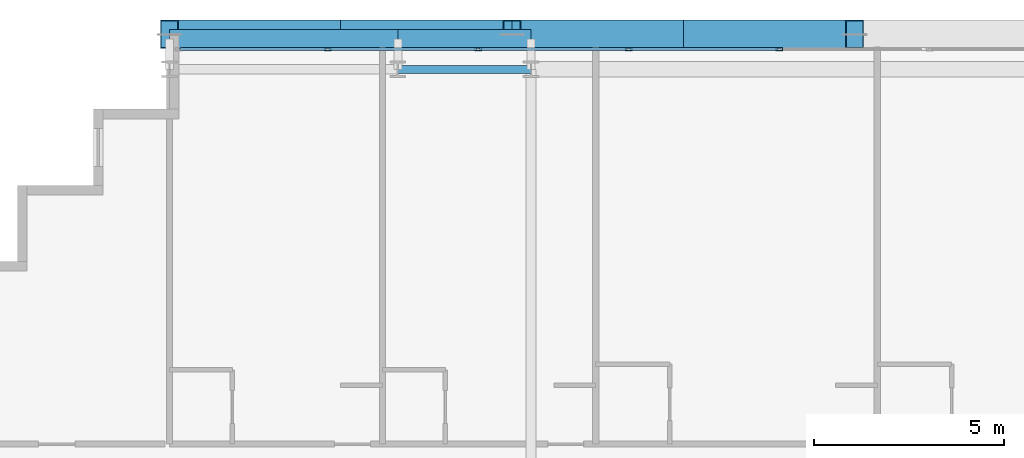
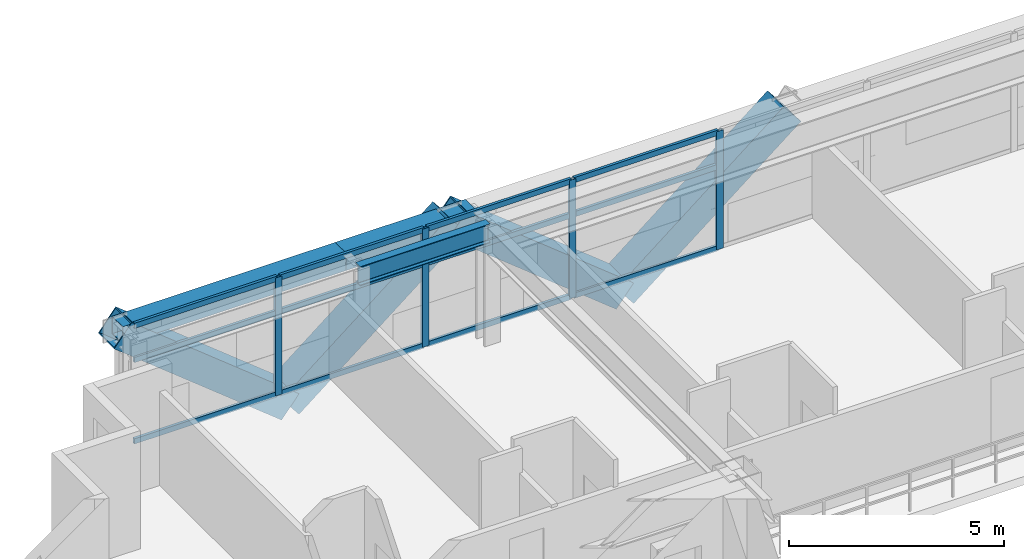
# One storey, part 18 of 35: 20 members, 3 beams, 1 element without a shape of its own.
"""IFC4 building model written with IfcOpenShell, lengths in metres."""

from ifc_helpers import new_model, si_unit, direction, frame, origin, origin_2d, place, context, subcontext, project, spatial, hollow_rectangle, i_section, extrude, source, transform, mapped, material, layer, layer_set, material_profile, profile_set, type_object, element, aggregate, save


model = new_model("IFC4")

# Units and contexts
model_context = context("Model", 3, precision=1e-05, world=origin(), true_north=direction((0.0, 1.0)))
body_context = subcontext(model_context, "Body", "Model", "MODEL_VIEW")
ifc_project = project(units=[si_unit("LENGTHUNIT", "METRE"), si_unit("AREAUNIT", "SQUARE_METRE"), si_unit("VOLUMEUNIT", "CUBIC_METRE"), si_unit("PLANEANGLEUNIT", "RADIAN"), si_unit("MASSUNIT", "GRAM", prefix="KILO")], contexts=[model_context])

# Site, building, storey
site_placement = place(None, origin())
site = spatial("IfcSite", under=ifc_project, at=site_placement, CompositionType="ELEMENT")
building_placement = place(site_placement, origin())
building = spatial("IfcBuilding", under=site, at=building_placement, Name="Ocotamira Hotel", CompositionType="ELEMENT")
storey_placement = place(building_placement, frame((0.0, 0.0, 144.0)))
storey = spatial("IfcBuildingStorey", under=building, at=storey_placement, Name="L36", CompositionType="ELEMENT", Elevation=144.0)

# Beams
ifc_material_1 = material(Name="Steel ASTM A992 Grade 50", Category="steel")
ifc_material_profile_1 = material_profile(ifc_material_1, i_section(OverallWidth=0.2099609375, OverallDepth=0.537109375, WebThickness=0.010986328125, FlangeThickness=0.017333984375, FilletRadius=0.012939453125, at=origin_2d()), Name="W21X68")
ifc_profile_set_1 = profile_set([ifc_material_profile_1], Name="Steel ASTM A992 Grade 50")
beam_type_1 = type_object("IfcBeamType", Name="BM-SEC-W21X68", PredefinedType="JOIST", material=ifc_profile_set_1)
shared_shape_1 = source(origin(), body_context, "Body", "SweptSolid", [
    extrude(i_section(OverallWidth=0.2099609375, OverallDepth=0.537109375, WebThickness=0.010986328125, FlangeThickness=0.017333984375, FilletRadius=0.012939453125, at=origin_2d()), origin(), (0.0, 0.0, 1.0), 3.5),
])
beam_1_placement = place(storey_placement, frame((20.0, 49.050048828125, 3.091552734375), z_axis=(1.0, 0.0, 0.0), x_axis=(0.0, 1.0, 0.0)))
element("IfcBeam", 1, at=beam_1_placement, inside=storey, type_object=beam_type_1, Name="L36 Girder Y49.05 X20-23.5", PredefinedType="JOIST", context=body_context, shape_type="MappedRepresentation", body=[
    mapped(shared_shape_1, transform((0.0, 0.0, 0.0), scale=1.0)),
])
ifc_material_2 = material(Name="Steel ASTM A500 Grade C", Category="steel")
ifc_material_profile_2 = material_profile(ifc_material_2, hollow_rectangle(XDim=0.5, YDim=0.5, WallThickness=0.02001953125, at=origin_2d()), Name="HSS500X500X20")
ifc_profile_set_2 = profile_set([ifc_material_profile_2], Name="Steel ASTM A500 Grade C")
beam_type_2 = type_object("IfcBeamType", Name="BM-SPAN-HSS500", PredefinedType="USERDEFINED", material=ifc_profile_set_2)
shared_shape_2 = source(origin(), body_context, "Body", "SweptSolid", [
    extrude(hollow_rectangle(XDim=0.5, YDim=0.5, WallThickness=0.02001953125, at=origin_2d()), origin(), (0.0, 0.0, 1.0), 6.0),
])
beam_2_placement = place(storey_placement, frame((14.0, 49.85009765625, 3.110107421875), z_axis=(1.0, 0.0, 0.0), x_axis=(0.0, 1.0, 0.0)))
element("IfcBeam", 2, at=beam_2_placement, inside=storey, type_object=beam_type_2, Name="L36 Edge Spandrel N X14-20", ObjectType="SPANDREL", PredefinedType="USERDEFINED", context=body_context, shape_type="MappedRepresentation", body=[
    mapped(shared_shape_2, transform((0.0, 0.0, 0.0), scale=1.0)),
])
shared_shape_3 = source(origin(), body_context, "Body", "SweptSolid", [
    extrude(hollow_rectangle(XDim=0.5, YDim=0.5, WallThickness=0.02001953125, at=origin_2d()), origin(), (0.0, 0.0, 1.0), 3.5),
])
beam_3_placement = place(storey_placement, frame((20.0, 49.85009765625, 3.110107421875), z_axis=(1.0, 0.0, 0.0), x_axis=(0.0, 1.0, 0.0)))
element("IfcBeam", 3, at=beam_3_placement, inside=storey, type_object=beam_type_2, Name="L36 Edge Spandrel N X20-23.5", ObjectType="SPANDREL", PredefinedType="USERDEFINED", context=body_context, shape_type="MappedRepresentation", body=[
    mapped(shared_shape_3, transform((0.0, 0.0, 0.0), scale=1.0)),
])

# Members
ifc_material_3 = material(Name="Pale-metal coated steel ASTM A913 Grade 65", Category="steel")
ifc_material_profile_3 = material_profile(ifc_material_3, hollow_rectangle(XDim=0.75, YDim=0.75, WallThickness=0.028076171875, at=origin_2d()), Name="BOX750X750X28")
ifc_profile_set_3 = profile_set([ifc_material_profile_3], Name="Pale-metal coated steel ASTM A913 Grade 65")
member_type_1 = type_object("IfcMemberType", Name="MEM-EXO-BOX750", PredefinedType="BRACE", material=ifc_profile_set_3)
shared_shape_4 = source(origin(), body_context, "Body", "SweptSolid", [
    extrude(hollow_rectangle(XDim=0.75, YDim=0.75, WallThickness=0.028076171875, at=origin_2d()), origin(), (0.0, 0.0, 1.0), 5.762939453125),
])
for number, where, z_axis, x_axis, name in (
    (4, (18.5, 49.969970703125, -0.489990234375), (-0.780860543151, 0.0, 0.624705380279), (0.0, -1.0, 0.0), "L36 Exoskeleton Diagrid N0.1"),
    (5, (18.5, 49.969970703125, -0.489990234375), (0.780860543151, 0.0, 0.624705380279), (0.0, 1.0, 0.0), "L36 Exoskeleton Diagrid N0.2"),
    (6, (27.5, 49.969970703125, -0.489990234375), (-0.780860543151, 0.0, 0.624705380279), (0.0, -1.0, 0.0), "L36 Exoskeleton Diagrid N1.1"),
    (7, (27.5, 49.969970703125, -0.489990234375), (0.780860543151, 0.0, 0.624705380279), (0.0, 1.0, 0.0), "L36 Exoskeleton Diagrid N1.2"),
):
    element("IfcMember", number, at=place(storey_placement, frame(where, z_axis=z_axis, x_axis=x_axis)), inside=storey, type_object=member_type_1, Name=name, PredefinedType="BRACE", context=body_context, shape_type="MappedRepresentation", body=[
        mapped(shared_shape_4, transform((0.0, 0.0, 0.0), scale=1.0)),
    ])

# Curtain wall, members
ifc_material_4 = material(Name="Anodised pale-metal aluminium and solar glass", Category="aluminium")
ifc_layer = layer(ifc_material_4, 0.179931640625)
ifc_layer_set = layer_set([ifc_layer], Name="Anodised pale-metal aluminium and solar glass")
curtain_wall_type = type_object("IfcCurtainWallType", Name="CW-SYS3-Z2", PredefinedType="NOTDEFINED", material=ifc_layer_set)
curtain_wall_placement = place(storey_placement, origin())
curtain_wall = element("IfcCurtainWall", 8, at=curtain_wall_placement, inside=storey, type_object=curtain_wall_type, Name="L36 Curtain Wall CW-3 CW-L36-N", PredefinedType="NOTDEFINED")
ifc_material_5 = material(Name="Anodised pale-metal aluminium 6063-T6", Category="aluminium")
ifc_material_profile_4 = material_profile(ifc_material_5, hollow_rectangle(XDim=0.074951171875, YDim=0.14990234375, WallThickness=0.006103515625, at=origin_2d()), Name="HSS150X75X6")
ifc_profile_set_4 = profile_set([ifc_material_profile_4], Name="Anodised pale-metal aluminium 6063-T6")
member_type_2 = type_object("IfcMemberType", Name="CWT-150X75", PredefinedType="USERDEFINED", material=ifc_profile_set_4)
shared_shape_5 = source(origin(), body_context, "Body", "SweptSolid", [
    extrude(hollow_rectangle(XDim=0.074951171875, YDim=0.14990234375, WallThickness=0.006103515625, at=origin_2d()), origin(), (0.0, 0.0, 1.0), 3.83544921875),
])
member_1_placement = place(storey_placement, frame((14.280029296875, 49.580078125, 0.03759765625), z_axis=(1.0, 0.0, 0.0), x_axis=(0.0, 1.0, 0.0)))
member_1 = element("IfcMember", 9, at=member_1_placement, type_object=member_type_2, Name="CW-3 transom 1.1", ObjectType="TRANSOM", PredefinedType="USERDEFINED", context=body_context, shape_type="MappedRepresentation", body=[
    mapped(shared_shape_5, transform((0.0, 0.0, 0.0), scale=1.0)),
])
member_2_placement = place(storey_placement, frame((14.280029296875, 49.580078125, 2.35009765625), z_axis=(1.0, 0.0, 0.0), x_axis=(0.0, 1.0, 0.0)))
member_2 = element("IfcMember", 10, at=member_2_placement, type_object=member_type_2, Name="CW-3 transom 1.2", ObjectType="TRANSOM", PredefinedType="USERDEFINED", context=body_context, shape_type="MappedRepresentation", body=[
    mapped(shared_shape_5, transform((0.0, 0.0, 0.0), scale=1.0)),
])
member_3_placement = place(storey_placement, frame((14.280029296875, 49.580078125, 3.322509765625), z_axis=(1.0, 0.0, 0.0), x_axis=(0.0, 1.0, 0.0)))
member_3 = element("IfcMember", 11, at=member_3_placement, type_object=member_type_2, Name="CW-3 transom 1.3", ObjectType="TRANSOM", PredefinedType="USERDEFINED", context=body_context, shape_type="MappedRepresentation", body=[
    mapped(shared_shape_5, transform((0.0, 0.0, 0.0), scale=1.0)),
])
shared_shape_6 = source(origin(), body_context, "Body", "SweptSolid", [
    extrude(hollow_rectangle(XDim=0.074951171875, YDim=0.14990234375, WallThickness=0.006103515625, at=origin_2d()), origin(), (0.0, 0.0, 1.0), 3.87548828125),
])
member_4_placement = place(storey_placement, frame((18.195556640625, 49.580078125, 0.03759765625), z_axis=(1.0, 0.0, 0.0), x_axis=(0.0, 1.0, 0.0)))
member_4 = element("IfcMember", 12, at=member_4_placement, type_object=member_type_2, Name="CW-3 transom 2.1", ObjectType="TRANSOM", PredefinedType="USERDEFINED", context=body_context, shape_type="MappedRepresentation", body=[
    mapped(shared_shape_6, transform((0.0, 0.0, 0.0), scale=1.0)),
])
member_5_placement = place(storey_placement, frame((18.195556640625, 49.580078125, 2.35009765625), z_axis=(1.0, 0.0, 0.0), x_axis=(0.0, 1.0, 0.0)))
member_5 = element("IfcMember", 13, at=member_5_placement, type_object=member_type_2, Name="CW-3 transom 2.2", ObjectType="TRANSOM", PredefinedType="USERDEFINED", context=body_context, shape_type="MappedRepresentation", body=[
    mapped(shared_shape_6, transform((0.0, 0.0, 0.0), scale=1.0)),
])
member_6_placement = place(storey_placement, frame((18.195556640625, 49.580078125, 3.322509765625), z_axis=(1.0, 0.0, 0.0), x_axis=(0.0, 1.0, 0.0)))
member_6 = element("IfcMember", 14, at=member_6_placement, type_object=member_type_2, Name="CW-3 transom 2.3", ObjectType="TRANSOM", PredefinedType="USERDEFINED", context=body_context, shape_type="MappedRepresentation", body=[
    mapped(shared_shape_6, transform((0.0, 0.0, 0.0), scale=1.0)),
])
member_7_placement = place(storey_placement, frame((22.151123046875, 49.580078125, 0.03759765625), z_axis=(1.0, 0.0, 0.0), x_axis=(0.0, 1.0, 0.0)))
member_7 = element("IfcMember", 15, at=member_7_placement, type_object=member_type_2, Name="CW-3 transom 3.1", ObjectType="TRANSOM", PredefinedType="USERDEFINED", context=body_context, shape_type="MappedRepresentation", body=[
    mapped(shared_shape_6, transform((0.0, 0.0, 0.0), scale=1.0)),
])
member_8_placement = place(storey_placement, frame((22.151123046875, 49.580078125, 2.35009765625), z_axis=(1.0, 0.0, 0.0), x_axis=(0.0, 1.0, 0.0)))
member_8 = element("IfcMember", 16, at=member_8_placement, type_object=member_type_2, Name="CW-3 transom 3.2", ObjectType="TRANSOM", PredefinedType="USERDEFINED", context=body_context, shape_type="MappedRepresentation", body=[
    mapped(shared_shape_6, transform((0.0, 0.0, 0.0), scale=1.0)),
])
member_9_placement = place(storey_placement, frame((22.151123046875, 49.580078125, 3.322509765625), z_axis=(1.0, 0.0, 0.0), x_axis=(0.0, 1.0, 0.0)))
member_9 = element("IfcMember", 17, at=member_9_placement, type_object=member_type_2, Name="CW-3 transom 3.3", ObjectType="TRANSOM", PredefinedType="USERDEFINED", context=body_context, shape_type="MappedRepresentation", body=[
    mapped(shared_shape_6, transform((0.0, 0.0, 0.0), scale=1.0)),
])
member_10_placement = place(storey_placement, frame((26.106689453125, 49.580078125, 0.03759765625), z_axis=(1.0, 0.0, 0.0), x_axis=(0.0, 1.0, 0.0)))
member_10 = element("IfcMember", 18, at=member_10_placement, type_object=member_type_2, Name="CW-3 transom 4.1", ObjectType="TRANSOM", PredefinedType="USERDEFINED", context=body_context, shape_type="MappedRepresentation", body=[
    mapped(shared_shape_6, transform((0.0, 0.0, 0.0), scale=1.0)),
])
member_11_placement = place(storey_placement, frame((26.106689453125, 49.580078125, 2.35009765625), z_axis=(1.0, 0.0, 0.0), x_axis=(0.0, 1.0, 0.0)))
member_11 = element("IfcMember", 19, at=member_11_placement, type_object=member_type_2, Name="CW-3 transom 4.2", ObjectType="TRANSOM", PredefinedType="USERDEFINED", context=body_context, shape_type="MappedRepresentation", body=[
    mapped(shared_shape_6, transform((0.0, 0.0, 0.0), scale=1.0)),
])
member_12_placement = place(storey_placement, frame((26.106689453125, 49.580078125, 3.322509765625), z_axis=(1.0, 0.0, 0.0), x_axis=(0.0, 1.0, 0.0)))
member_12 = element("IfcMember", 20, at=member_12_placement, type_object=member_type_2, Name="CW-3 transom 4.3", ObjectType="TRANSOM", PredefinedType="USERDEFINED", context=body_context, shape_type="MappedRepresentation", body=[
    mapped(shared_shape_6, transform((0.0, 0.0, 0.0), scale=1.0)),
])
ifc_material_profile_5 = material_profile(ifc_material_5, hollow_rectangle(XDim=0.080078125, YDim=0.179931640625, WallThickness=0.006103515625, at=origin_2d()), Name="HSS180X80X6")
ifc_profile_set_5 = profile_set([ifc_material_profile_5], Name="Anodised pale-metal aluminium 6063-T6")
member_type_3 = type_object("IfcMemberType", Name="CWM-180X75", PredefinedType="MULLION", material=ifc_profile_set_5)
shared_shape_7 = source(origin(), body_context, "Body", "SweptSolid", [
    extrude(hollow_rectangle(XDim=0.080078125, YDim=0.179931640625, WallThickness=0.006103515625, at=origin_2d()), origin(), (0.0, 0.0, 1.0), 3.360107421875),
])
member_13_placement = place(storey_placement, frame((18.155517578125, 49.580078125, 0.0), z_axis=(0.0, 0.0, 1.0), x_axis=(0.0, 1.0, 0.0)))
member_13 = element("IfcMember", 21, at=member_13_placement, type_object=member_type_3, Name="CW-3 mullion 2", PredefinedType="MULLION", context=body_context, shape_type="MappedRepresentation", body=[
    mapped(shared_shape_7, transform((0.0, 0.0, 0.0), scale=1.0)),
])
member_14_placement = place(storey_placement, frame((22.111083984375, 49.580078125, 0.0), z_axis=(0.0, 0.0, 1.0), x_axis=(0.0, 1.0, 0.0)))
member_14 = element("IfcMember", 22, at=member_14_placement, type_object=member_type_3, Name="CW-3 mullion 3", PredefinedType="MULLION", context=body_context, shape_type="MappedRepresentation", body=[
    mapped(shared_shape_7, transform((0.0, 0.0, 0.0), scale=1.0)),
])
member_15_placement = place(storey_placement, frame((26.066650390625, 49.580078125, 0.0), z_axis=(0.0, 0.0, 1.0), x_axis=(0.0, 1.0, 0.0)))
member_15 = element("IfcMember", 23, at=member_15_placement, type_object=member_type_3, Name="CW-3 mullion 4", PredefinedType="MULLION", context=body_context, shape_type="MappedRepresentation", body=[
    mapped(shared_shape_7, transform((0.0, 0.0, 0.0), scale=1.0)),
])
member_16_placement = place(storey_placement, frame((30.022216796875, 49.580078125, 0.0), z_axis=(0.0, 0.0, 1.0), x_axis=(0.0, 1.0, 0.0)))
member_16 = element("IfcMember", 24, at=member_16_placement, type_object=member_type_3, Name="CW-3 mullion 5", PredefinedType="MULLION", context=body_context, shape_type="MappedRepresentation", body=[
    mapped(shared_shape_7, transform((0.0, 0.0, 0.0), scale=1.0)),
])
aggregate(curtain_wall, [member_13, member_14, member_15, member_16, member_1, member_2, member_3, member_4, member_5, member_6, member_7, member_8, member_9, member_10, member_11, member_12])

save(model, "model.ifc")
